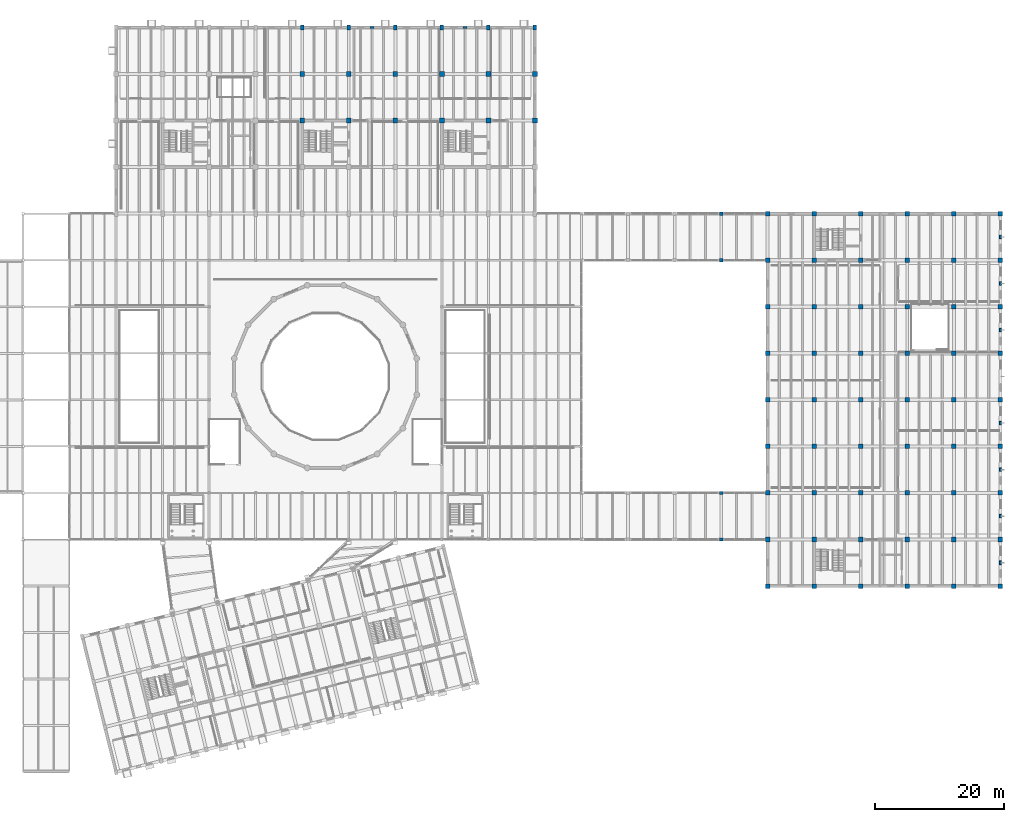
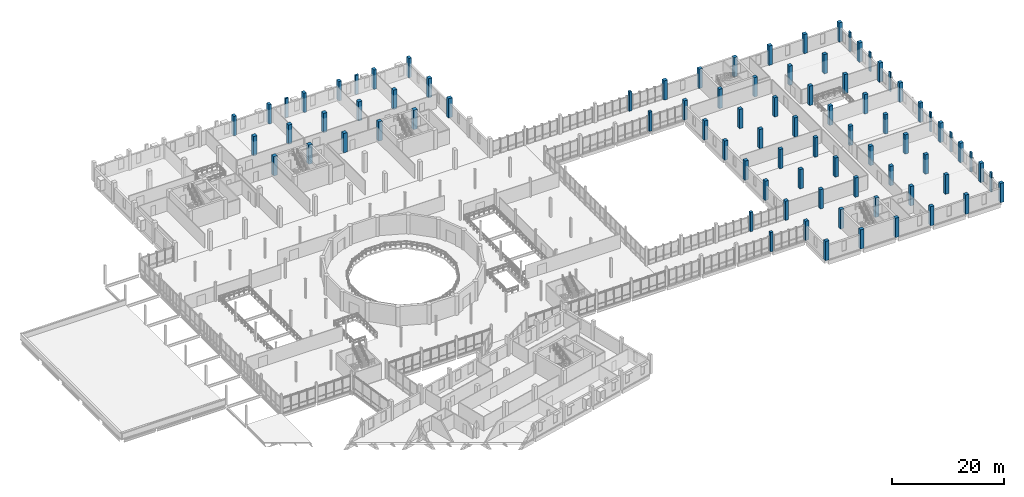
# One storey, part 15 of 72: 85 columns.
"""IFC4 building model written with IfcOpenShell, lengths in metres."""

from ifc_helpers import new_model, si_unit, direction, frame, origin, origin_2d, place, context, subcontext, project, spatial, rectangle, extrude, material, material_profile, profile_set, type_object, element, save


model = new_model("IFC4")

# Units and contexts
model_context = context("Model", 3, precision=1e-05, world=origin(), true_north=direction((0.0, 1.0)))
body_context = subcontext(model_context, "Body", "Model", "MODEL_VIEW")
ifc_project = project(units=[si_unit("LENGTHUNIT", "METRE"), si_unit("AREAUNIT", "SQUARE_METRE"), si_unit("VOLUMEUNIT", "CUBIC_METRE"), si_unit("PLANEANGLEUNIT", "RADIAN"), si_unit("MASSUNIT", "GRAM", prefix="KILO")], contexts=[model_context])

# Site, building, storey
site_placement = place(None, origin())
site = spatial("IfcSite", under=ifc_project, at=site_placement, CompositionType="ELEMENT")
building_placement = place(site_placement, origin())
building = spatial("IfcBuilding", under=site, at=building_placement, Name="Qiaolan Assembly House", CompositionType="ELEMENT")
storey_placement = place(building_placement, frame((0.0, 0.0, 10.199951171875)))
storey = spatial("IfcBuildingStorey", under=building, at=storey_placement, Name="L02", CompositionType="ELEMENT", Elevation=10.199951171875)

# Columns
ifc_material_1 = material(Name="Concrete C40/50", Category="concrete")
ifc_material_profile_1 = material_profile(ifc_material_1, rectangle(XDim=0.699951171875, YDim=0.699951171875, at=origin_2d()), Name="RC 700x700")
ifc_profile_set_1 = profile_set([ifc_material_profile_1], Name="Concrete C40/50")
column_type_1 = type_object("IfcColumnType", Name="COL-RC-700", PredefinedType="COLUMN", material=ifc_profile_set_1)
for number, where, z_axis, x_axis, name in (
    (1, (136.800048828125, 28.800048828125, 0.0), (0.0, 0.0, 1.0), (1.0, 0.0, 0.0), "RC-07 library column L02"),
    (2, (136.800048828125, 36.0, 0.0), (0.0, 0.0, 1.0), (1.0, 0.0, 0.0), "RC-07 library column L02"),
    (3, (136.800048828125, 43.199951171875, 0.0), (0.0, 0.0, 1.0), (1.0, 0.0, 0.0), "RC-07 library column L02"),
    (4, (136.800048828125, 50.39990234375, 0.0), (0.0, 0.0, 1.0), (1.0, 0.0, 0.0), "RC-07 library column L02"),
    (5, (136.800048828125, 57.60009765625, 0.0), (0.0, 0.0, 1.0), (1.0, 0.0, 0.0), "RC-07 library column L02"),
    (6, (136.800048828125, 64.800048828125, 0.0), (0.0, 0.0, 1.0), (1.0, 0.0, 0.0), "RC-07 library column L02"),
    (7, (136.800048828125, 72.0, 0.0), (0.0, 0.0, 1.0), (1.0, 0.0, 0.0), "RC-07 library column L02"),
    (8, (136.800048828125, 79.199951171875, 0.0), (0.0, 0.0, 1.0), (1.0, 0.0, 0.0), "RC-07 library column L02"),
    (9, (136.800048828125, 86.39990234375, 0.0), (0.0, 0.0, 1.0), (1.0, 0.0, 0.0), "RC-07 library column L02"),
    (10, (144.0, 28.800048828125, 0.0), (0.0, 0.0, 1.0), (1.0, 0.0, 0.0), "RC-07 library column L02"),
    (11, (144.0, 36.0, 0.0), (0.0, 0.0, 1.0), (1.0, 0.0, 0.0), "RC-07 library column L02"),
    (12, (144.0, 43.199951171875, 0.0), (0.0, 0.0, 1.0), (1.0, 0.0, 0.0), "RC-07 library column L02"),
    (13, (144.0, 50.39990234375, 0.0), (0.0, 0.0, 1.0), (1.0, 0.0, 0.0), "RC-07 library column L02"),
    (14, (144.0, 57.60009765625, 0.0), (0.0, 0.0, 1.0), (1.0, 0.0, 0.0), "RC-07 library column L02"),
    (15, (144.0, 64.800048828125, 0.0), (0.0, 0.0, 1.0), (1.0, 0.0, 0.0), "RC-07 library column L02"),
    (16, (144.0, 72.0, 0.0), (0.0, 0.0, 1.0), (1.0, 0.0, 0.0), "RC-07 library column L02"),
    (17, (144.0, 79.199951171875, 0.0), (0.0, 0.0, 1.0), (1.0, 0.0, 0.0), "RC-07 library column L02"),
    (18, (144.0, 86.39990234375, 0.0), (0.0, 0.0, 1.0), (1.0, 0.0, 0.0), "RC-07 library column L02"),
    (19, (151.199951171875, 28.800048828125, 0.0), (0.0, 0.0, 1.0), (1.0, 0.0, 0.0), "RC-07 library column L02"),
    (20, (151.199951171875, 36.0, 0.0), (0.0, 0.0, 1.0), (1.0, 0.0, 0.0), "RC-07 library column L02"),
    (21, (151.199951171875, 43.199951171875, 0.0), (0.0, 0.0, 1.0), (1.0, 0.0, 0.0), "RC-07 library column L02"),
    (22, (151.199951171875, 50.39990234375, 0.0), (0.0, 0.0, 1.0), (1.0, 0.0, 0.0), "RC-07 library column L02"),
    (23, (151.199951171875, 57.60009765625, 0.0), (0.0, 0.0, 1.0), (1.0, 0.0, 0.0), "RC-07 library column L02"),
    (24, (151.199951171875, 64.800048828125, 0.0), (0.0, 0.0, 1.0), (1.0, 0.0, 0.0), "RC-07 library column L02"),
    (25, (151.199951171875, 72.0, 0.0), (0.0, 0.0, 1.0), (1.0, 0.0, 0.0), "RC-07 library column L02"),
    (26, (151.199951171875, 79.199951171875, 0.0), (0.0, 0.0, 1.0), (1.0, 0.0, 0.0), "RC-07 library column L02"),
    (27, (151.199951171875, 86.39990234375, 0.0), (0.0, 0.0, 1.0), (1.0, 0.0, 0.0), "RC-07 library column L02"),
    (28, (158.39990234375, 28.800048828125, 0.0), (0.0, 0.0, 1.0), (1.0, 0.0, 0.0), "RC-07 library column L02"),
    (29, (158.39990234375, 36.0, 0.0), (0.0, 0.0, 1.0), (1.0, 0.0, 0.0), "RC-07 library column L02"),
    (30, (158.39990234375, 43.199951171875, 0.0), (0.0, 0.0, 1.0), (1.0, 0.0, 0.0), "RC-07 library column L02"),
    (31, (158.39990234375, 50.39990234375, 0.0), (0.0, 0.0, 1.0), (1.0, 0.0, 0.0), "RC-07 library column L02"),
    (32, (158.39990234375, 57.60009765625, 0.0), (0.0, 0.0, 1.0), (1.0, 0.0, 0.0), "RC-07 library column L02"),
    (33, (158.39990234375, 64.800048828125, 0.0), (0.0, 0.0, 1.0), (1.0, 0.0, 0.0), "RC-07 library column L02"),
    (34, (158.39990234375, 72.0, 0.0), (0.0, 0.0, 1.0), (1.0, 0.0, 0.0), "RC-07 library column L02"),
    (35, (158.39990234375, 79.199951171875, 0.0), (0.0, 0.0, 1.0), (1.0, 0.0, 0.0), "RC-07 library column L02"),
    (36, (158.39990234375, 86.39990234375, 0.0), (0.0, 0.0, 1.0), (1.0, 0.0, 0.0), "RC-07 library column L02"),
    (37, (165.60009765625, 28.800048828125, 0.0), (0.0, 0.0, 1.0), (1.0, 0.0, 0.0), "RC-07 library column L02"),
    (38, (165.60009765625, 36.0, 0.0), (0.0, 0.0, 1.0), (1.0, 0.0, 0.0), "RC-07 library column L02"),
    (39, (165.60009765625, 43.199951171875, 0.0), (0.0, 0.0, 1.0), (1.0, 0.0, 0.0), "RC-07 library column L02"),
    (40, (165.60009765625, 50.39990234375, 0.0), (0.0, 0.0, 1.0), (1.0, 0.0, 0.0), "RC-07 library column L02"),
    (41, (165.60009765625, 57.60009765625, 0.0), (0.0, 0.0, 1.0), (1.0, 0.0, 0.0), "RC-07 library column L02"),
    (42, (165.60009765625, 64.800048828125, 0.0), (0.0, 0.0, 1.0), (1.0, 0.0, 0.0), "RC-07 library column L02"),
    (43, (165.60009765625, 72.0, 0.0), (0.0, 0.0, 1.0), (1.0, 0.0, 0.0), "RC-07 library column L02"),
    (44, (165.60009765625, 79.199951171875, 0.0), (0.0, 0.0, 1.0), (1.0, 0.0, 0.0), "RC-07 library column L02"),
    (45, (165.60009765625, 86.39990234375, 0.0), (0.0, 0.0, 1.0), (1.0, 0.0, 0.0), "RC-07 library column L02"),
    (46, (172.800048828125, 28.800048828125, 0.0), (0.0, 0.0, 1.0), (1.0, 0.0, 0.0), "RC-07 library column L02"),
    (47, (172.800048828125, 36.0, 0.0), (0.0, 0.0, 1.0), (1.0, 0.0, 0.0), "RC-07 library column L02"),
    (48, (172.800048828125, 43.199951171875, 0.0), (0.0, 0.0, 1.0), (1.0, 0.0, 0.0), "RC-07 library column L02"),
    (49, (172.800048828125, 50.39990234375, 0.0), (0.0, 0.0, 1.0), (1.0, 0.0, 0.0), "RC-07 library column L02"),
    (50, (172.800048828125, 57.60009765625, 0.0), (0.0, 0.0, 1.0), (1.0, 0.0, 0.0), "RC-07 library column L02"),
    (51, (172.800048828125, 64.800048828125, 0.0), (0.0, 0.0, 1.0), (1.0, 0.0, 0.0), "RC-07 library column L02"),
    (52, (172.800048828125, 72.0, 0.0), (0.0, 0.0, 1.0), (1.0, 0.0, 0.0), "RC-07 library column L02"),
    (53, (172.800048828125, 79.199951171875, 0.0), (0.0, 0.0, 1.0), (1.0, 0.0, 0.0), "RC-07 library column L02"),
    (54, (172.800048828125, 86.39990234375, 0.0), (0.0, 0.0, 1.0), (1.0, 0.0, 0.0), "RC-07 library column L02"),
):
    element("IfcColumn", number, at=place(storey_placement, frame(where, z_axis=z_axis, x_axis=x_axis)), inside=storey, type_object=column_type_1, Name=name, PredefinedType="COLUMN", context=body_context, shape_type="SweptSolid", body=[
        extrude(rectangle(XDim=0.699951171875, YDim=0.699951171875, at=origin_2d()), origin(), (0.0, 0.0, 1.0), 4.199951171875),
    ])
ifc_material_2 = material(Name="Concrete C45/55", Category="concrete")
ifc_material_profile_2 = material_profile(ifc_material_2, rectangle(XDim=0.75, YDim=0.75, at=origin_2d()), Name="RC 750x750")
ifc_profile_set_2 = profile_set([ifc_material_profile_2], Name="Concrete C45/55")
column_type_2 = type_object("IfcColumnType", Name="COL-RC-750", PredefinedType="COLUMN", material=ifc_profile_set_2)
for number, where, z_axis, x_axis, name in (
    (55, (64.800048828125, 100.800048828125, 0.0), (0.0, 0.0, 1.0), (1.0, 0.0, 0.0), "RC-06 column NW L02"),
    (56, (64.800048828125, 108.0, 0.0), (0.0, 0.0, 1.0), (1.0, 0.0, 0.0), "RC-06 column NW L02"),
    (57, (72.0, 100.800048828125, 0.0), (0.0, 0.0, 1.0), (1.0, 0.0, 0.0), "RC-06 column NW L02"),
    (58, (72.0, 108.0, 0.0), (0.0, 0.0, 1.0), (1.0, 0.0, 0.0), "RC-06 column NW L02"),
    (59, (79.199951171875, 100.800048828125, 0.0), (0.0, 0.0, 1.0), (1.0, 0.0, 0.0), "RC-06 column NW L02"),
    (60, (79.199951171875, 108.0, 0.0), (0.0, 0.0, 1.0), (1.0, 0.0, 0.0), "RC-06 column NW L02"),
    (61, (86.39990234375, 100.800048828125, 0.0), (0.0, 0.0, 1.0), (1.0, 0.0, 0.0), "RC-06 column NW L02"),
    (62, (86.39990234375, 108.0, 0.0), (0.0, 0.0, 1.0), (1.0, 0.0, 0.0), "RC-06 column NW L02"),
    (63, (93.60009765625, 100.800048828125, 0.0), (0.0, 0.0, 1.0), (1.0, 0.0, 0.0), "RC-06 column NW L02"),
    (64, (93.60009765625, 108.0, 0.0), (0.0, 0.0, 1.0), (1.0, 0.0, 0.0), "RC-06 column NW L02"),
    (65, (100.800048828125, 100.800048828125, 0.0), (0.0, 0.0, 1.0), (1.0, 0.0, 0.0), "RC-06 column NW L02"),
    (66, (100.800048828125, 108.0, 0.0), (0.0, 0.0, 1.0), (1.0, 0.0, 0.0), "RC-06 column NW L02"),
):
    element("IfcColumn", number, at=place(storey_placement, frame(where, z_axis=z_axis, x_axis=x_axis)), inside=storey, type_object=column_type_2, Name=name, PredefinedType="COLUMN", context=body_context, shape_type="SweptSolid", body=[
        extrude(rectangle(XDim=0.75, YDim=0.75, at=origin_2d()), origin(), (0.0, 0.0, 1.0), 4.199951171875),
    ])
ifc_material_profile_3 = material_profile(ifc_material_2, rectangle(XDim=0.550048828125, YDim=0.800048828125, at=origin_2d()), Name="RC 800x550")
ifc_profile_set_3 = profile_set([ifc_material_profile_3], Name="Concrete C45/55")
column_type_3 = type_object("IfcColumnType", Name="COL-RC-800x550", PredefinedType="COLUMN", material=ifc_profile_set_3)
for number, where, z_axis, x_axis, name in (
    (67, (64.800048828125, 115.199951171875, 0.0), (0.0, 0.0, 1.0), (1.0, 0.0, 0.0), "RC-14 column NW L02"),
    (68, (72.0, 115.199951171875, 0.0), (0.0, 0.0, 1.0), (1.0, 0.0, 0.0), "RC-14 column NW L02"),
    (69, (79.199951171875, 115.199951171875, 0.0), (0.0, 0.0, 1.0), (1.0, 0.0, 0.0), "RC-14 column NW L02"),
    (70, (86.39990234375, 115.199951171875, 0.0), (0.0, 0.0, 1.0), (1.0, 0.0, 0.0), "RC-14 column NW L02"),
    (71, (93.60009765625, 115.199951171875, 0.0), (0.0, 0.0, 1.0), (1.0, 0.0, 0.0), "RC-14 column NW L02"),
    (72, (100.800048828125, 115.199951171875, 0.0), (0.0, 0.0, 1.0), (1.0, 0.0, 0.0), "RC-14 column NW L02"),
):
    element("IfcColumn", number, at=place(storey_placement, frame(where, z_axis=z_axis, x_axis=x_axis)), inside=storey, type_object=column_type_3, Name=name, PredefinedType="COLUMN", context=body_context, shape_type="SweptSolid", body=[
        extrude(rectangle(XDim=0.550048828125, YDim=0.800048828125, at=origin_2d()), origin(), (0.0, 0.0, 1.0), 4.199951171875),
    ])
ifc_material_3 = material(Name="Precast concrete C45/55", Category="concrete")
ifc_material_profile_4 = material_profile(ifc_material_3, rectangle(XDim=0.52001953125, YDim=0.52001953125, at=origin_2d()), Name="PIL 520x520")
ifc_profile_set_4 = profile_set([ifc_material_profile_4], Name="Precast concrete C45/55")
column_type_4 = type_object("IfcColumnType", Name="PIL-CLOISTER-520", PredefinedType="PILASTER", material=ifc_profile_set_4)
for number, where, z_axis, x_axis, name in (
    (73, (129.60009765625, 36.0, 0.0), (0.0, 0.0, 1.0), (1.0, 0.0, 0.0), "PL-06 cloister pier L02"),
    (74, (129.60009765625, 43.199951171875, 0.0), (0.0, 0.0, 1.0), (1.0, 0.0, 0.0), "PL-06 cloister pier L02"),
    (75, (129.60009765625, 79.199951171875, 0.0), (0.0, 0.0, 1.0), (1.0, 0.0, 0.0), "PL-06 cloister pier L02"),
    (76, (129.60009765625, 86.39990234375, 0.0), (0.0, 0.0, 1.0), (1.0, 0.0, 0.0), "PL-06 cloister pier L02"),
):
    element("IfcColumn", number, at=place(storey_placement, frame(where, z_axis=z_axis, x_axis=x_axis)), inside=storey, type_object=column_type_4, Name=name, PredefinedType="PILASTER", context=body_context, shape_type="SweptSolid", body=[
        extrude(rectangle(XDim=0.52001953125, YDim=0.52001953125, at=origin_2d()), origin(), (0.0, 0.0, 1.0), 4.199951171875),
    ])
ifc_material_profile_5 = material_profile(ifc_material_3, rectangle(XDim=0.550048828125, YDim=0.300048828125, at=origin_2d()), Name="PIL 550x300")
ifc_profile_set_5 = profile_set([ifc_material_profile_5], Name="Precast concrete C45/55")
column_type_5 = type_object("IfcColumnType", Name="PIL-LIB-550x300", PredefinedType="PILASTER", material=ifc_profile_set_5)
for number, where, z_axis, x_axis, name in (
    (77, (172.800048828125, 32.39990234375, 0.0), (0.0, 0.0, 1.0), (0.0, 1.0, 0.0), "PL-04 library pilaster L02"),
    (78, (172.800048828125, 39.60009765625, 0.0), (0.0, 0.0, 1.0), (0.0, 1.0, 0.0), "PL-04 library pilaster L02"),
    (79, (172.800048828125, 46.800048828125, 0.0), (0.0, 0.0, 1.0), (0.0, 1.0, 0.0), "PL-04 library pilaster L02"),
    (80, (172.800048828125, 54.0, 0.0), (0.0, 0.0, 1.0), (0.0, 1.0, 0.0), "PL-04 library pilaster L02"),
    (81, (172.800048828125, 68.39990234375, 0.0), (0.0, 0.0, 1.0), (0.0, 1.0, 0.0), "PL-04 library pilaster L02"),
    (82, (172.800048828125, 75.60009765625, 0.0), (0.0, 0.0, 1.0), (0.0, 1.0, 0.0), "PL-04 library pilaster L02"),
    (83, (172.800048828125, 82.800048828125, 0.0), (0.0, 0.0, 1.0), (0.0, 1.0, 0.0), "PL-04 library pilaster L02"),
):
    element("IfcColumn", number, at=place(storey_placement, frame(where, z_axis=z_axis, x_axis=x_axis)), inside=storey, type_object=column_type_5, Name=name, PredefinedType="PILASTER", context=body_context, shape_type="SweptSolid", body=[
        extrude(rectangle(XDim=0.550048828125, YDim=0.300048828125, at=origin_2d()), origin(), (0.0, 0.0, 1.0), 4.199951171875),
    ])
ifc_material_profile_6 = material_profile(ifc_material_3, rectangle(XDim=0.64990234375, YDim=0.35009765625, at=origin_2d()), Name="PIL 650x350")
ifc_profile_set_6 = profile_set([ifc_material_profile_6], Name="Precast concrete C45/55")
column_type_6 = type_object("IfcColumnType", Name="PIL-NW-650x350", PredefinedType="PILASTER", material=ifc_profile_set_6)
for number, where, z_axis, x_axis, name in (
    (84, (75.60009765625, 115.199951171875, 0.0), (0.0, 0.0, 1.0), (1.0, 0.0, 0.0), "PL-02 neoclassical pilaster NW L02"),
    (85, (90.0, 115.199951171875, 0.0), (0.0, 0.0, 1.0), (1.0, 0.0, 0.0), "PL-02 neoclassical pilaster NW L02"),
):
    element("IfcColumn", number, at=place(storey_placement, frame(where, z_axis=z_axis, x_axis=x_axis)), inside=storey, type_object=column_type_6, Name=name, PredefinedType="PILASTER", context=body_context, shape_type="SweptSolid", body=[
        extrude(rectangle(XDim=0.64990234375, YDim=0.35009765625, at=origin_2d()), origin(), (0.0, 0.0, 1.0), 4.199951171875),
    ])

save(model, "model.ifc")
